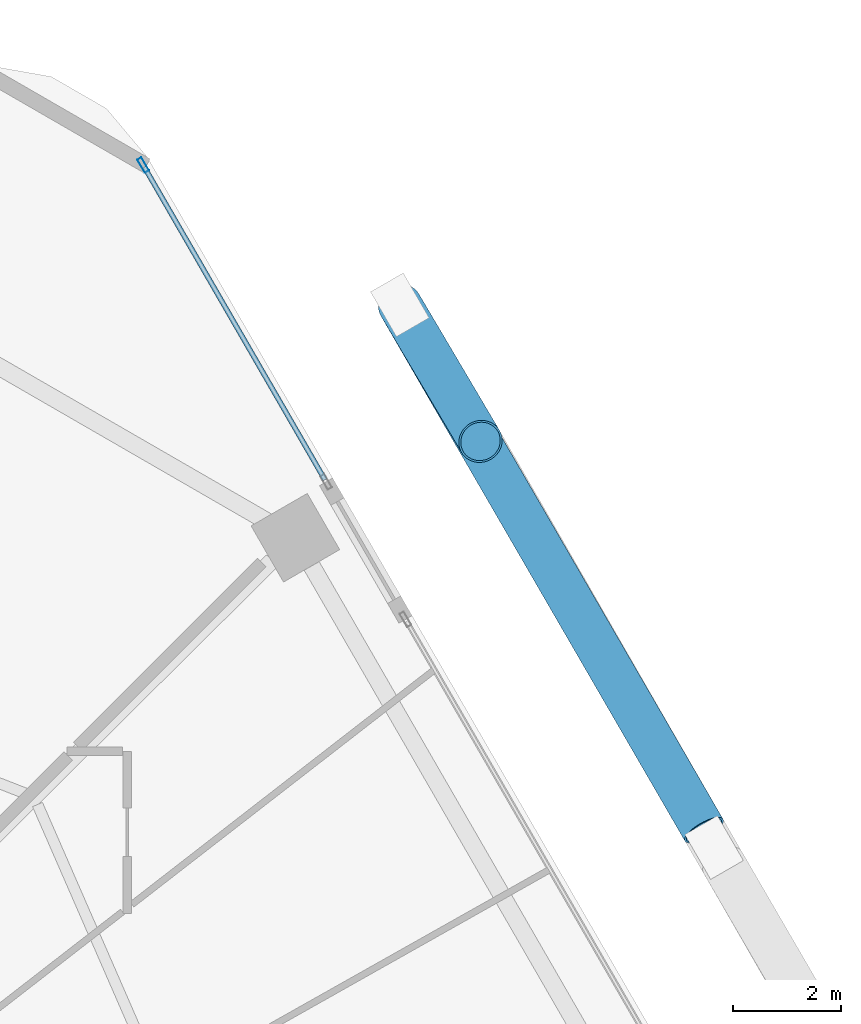
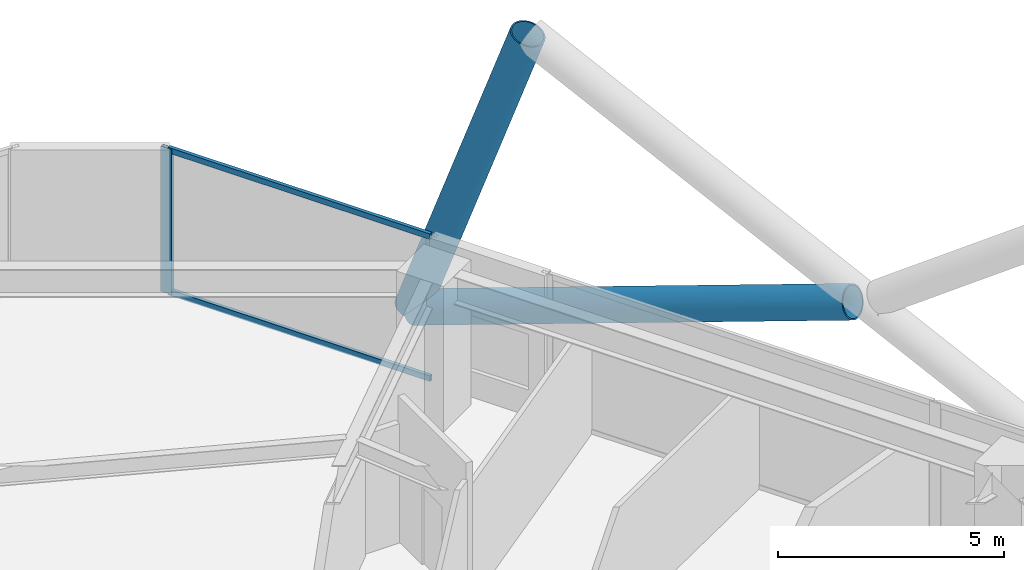
# One storey, part 22 of 28: 5 members, 1 element without a shape of its own.
"""IFC4 building model written with IfcOpenShell, lengths in metres."""

from ifc_helpers import new_model, si_unit, direction, frame, origin, origin_2d, place, context, subcontext, project, spatial, hollow_rectangle, hollow_circle, extrude, material, material_profile, profile_set, type_object, element, aggregate, save


model = new_model("IFC4")

# Units and contexts
model_context = context("Model", 3, precision=1e-05, world=origin(), true_north=direction((0.0, 1.0)))
body_context = subcontext(model_context, "Body", "Model", "MODEL_VIEW")
ifc_project = project(units=[si_unit("LENGTHUNIT", "METRE"), si_unit("AREAUNIT", "SQUARE_METRE"), si_unit("VOLUMEUNIT", "CUBIC_METRE"), si_unit("PLANEANGLEUNIT", "RADIAN"), si_unit("MASSUNIT", "GRAM", prefix="KILO")], contexts=[model_context])

# Site, building, storey
site_placement = place(None, origin())
site = spatial("IfcSite", under=ifc_project, at=site_placement, CompositionType="ELEMENT")
building_placement = place(site_placement, origin())
building = spatial("IfcBuilding", under=site, at=building_placement, Name="Zuhravey Tower", CompositionType="ELEMENT")
storey_placement = place(building_placement, frame((0.0, 0.0, 24.60009765625)))
storey = spatial("IfcBuildingStorey", under=building, at=storey_placement, Name="L06", CompositionType="ELEMENT", Elevation=24.60009765625)

# Curtain wall, members
ifc_material_1 = material(Name="Thermally broken anodised aluminium", Category="aluminium")
curtain_wall_type = type_object("IfcCurtainWallType", Name="School Low-E Unitised Curtain Wall CW1", PredefinedType="NOTDEFINED", material=ifc_material_1)
curtain_wall_placement = place(storey_placement, origin())
curtain_wall = element("IfcCurtainWall", 1, at=curtain_wall_placement, inside=storey, type_object=curtain_wall_type, Name="L06 CW1 CW-L06-F1-1", PredefinedType="NOTDEFINED")
ifc_material_2 = material(Name="Anodised aluminium", Category="aluminium")
ifc_material_profile_1 = material_profile(ifc_material_2, hollow_rectangle(XDim=0.090087890625, YDim=0.284912109375, WallThickness=0.0048828125, at=origin_2d()), Name="ALU-RHS-90x285x5")
ifc_profile_set_1 = profile_set([ifc_material_profile_1], Name="Anodised aluminium")
member_type_1 = type_object("IfcMemberType", Name="Curtain-Wall Mullion 90x180", PredefinedType="MULLION", material=ifc_profile_set_1)
member_1_placement = place(storey_placement, frame((53.701416015625, 59.257080078125, 0.0), z_axis=(0.0, 0.0, 1.0), x_axis=(0.866029558973, 0.499992802933, 0.0)))
member_1 = element("IfcMember", 2, at=member_1_placement, type_object=member_type_1, Name="CW1 mullion 1", PredefinedType="MULLION", context=body_context, shape_type="SweptSolid", body=[
    extrude(hollow_rectangle(XDim=0.090087890625, YDim=0.284912109375, WallThickness=0.0048828125, at=origin_2d()), origin(), (0.0, 0.0, 1.0), 3.919921875),
])
ifc_material_profile_2 = material_profile(ifc_material_2, hollow_rectangle(XDim=0.090087890625, YDim=0.14990234375, WallThickness=0.0048828125, at=origin_2d()), Name="ALU-RHS-90x150x5")
ifc_profile_set_2 = profile_set([ifc_material_profile_2], Name="Anodised aluminium")
member_type_2 = type_object("IfcMemberType", Name="Curtain-Wall Transom 90x150", PredefinedType="USERDEFINED", material=ifc_profile_set_2)
member_2_placement = place(storey_placement, frame((53.72412109375, 59.218017578125, 0.044921875), z_axis=(0.499970184224, -0.866042617247, 0.0), x_axis=(0.866042617247, 0.499970184224, 0.0)))
member_2 = element("IfcMember", 3, at=member_2_placement, type_object=member_type_2, Name="CW1 transom 1.1", ObjectType="TRANSOM", PredefinedType="USERDEFINED", context=body_context, shape_type="SweptSolid", body=[
    extrude(hollow_rectangle(XDim=0.090087890625, YDim=0.14990234375, WallThickness=0.0048828125, at=origin_2d()), origin(), (0.0, 0.0, 1.0), 6.6826171875),
])
member_3_placement = place(storey_placement, frame((53.72412109375, 59.218017578125, 3.875), z_axis=(0.499970184224, -0.866042617247, 0.0), x_axis=(0.866042617247, 0.499970184224, 0.0)))
member_3 = element("IfcMember", 4, at=member_3_placement, type_object=member_type_2, Name="CW1 transom 1.2", ObjectType="TRANSOM", PredefinedType="USERDEFINED", context=body_context, shape_type="SweptSolid", body=[
    extrude(hollow_rectangle(XDim=0.090087890625, YDim=0.14990234375, WallThickness=0.0048828125, at=origin_2d()), origin(), (0.0, 0.0, 1.0), 6.6826171875),
])
aggregate(curtain_wall, [member_1, member_2, member_3])

# Members
ifc_material_3 = material(Name="Steel SM460", Category="steel")
ifc_material_profile_3 = material_profile(ifc_material_3, hollow_circle(Radius=0.406494140625, WallThickness=0.035888671875, at=origin_2d()), Name="CHS-812.8x36")
ifc_profile_set_3 = profile_set([ifc_material_profile_3], Name="Steel SM460")
member_type_3 = type_object("IfcMemberType", Name="Exoskeleton Zone 1 Diagrid CHS813x36", PredefinedType="BRACE", material=ifc_profile_set_3)
member_4_placement = place(storey_placement, frame((58.45654296875, 56.661376953125, -0.47216796875), z_axis=(0.168228971741, -0.284673972177, 0.943747711326), x_axis=(0.86090992654, 0.508757406221, 0.0)))
element("IfcMember", 5, at=member_4_placement, inside=storey, type_object=member_type_3, Name="L06 Face 1 Diagrid Brace 4", PredefinedType="BRACE", context=body_context, shape_type="SweptSolid", body=[
    extrude(hollow_circle(Radius=0.406494140625, WallThickness=0.035888671875, at=origin_2d()), origin(), (0.0, 0.0, 1.0), 8.85400390625),
])
member_5_placement = place(storey_placement, frame((58.476318359375, 56.626953125, -0.47705078125), z_axis=(0.471216049134, -0.813752606712, 0.340238343089), x_axis=(0.865381959658, 0.501112825518, 0.0)))
element("IfcMember", 6, at=member_5_placement, inside=storey, type_object=member_type_3, Name="L06 Face 1 Split Diagrid Brace 3A", PredefinedType="BRACE", context=body_context, shape_type="SweptSolid", body=[
    extrude(hollow_circle(Radius=0.406494140625, WallThickness=0.035888671875, at=origin_2d()), origin(), (0.0, 0.0, 1.0), 11.897705078125),
])

save(model, "model.ifc")
